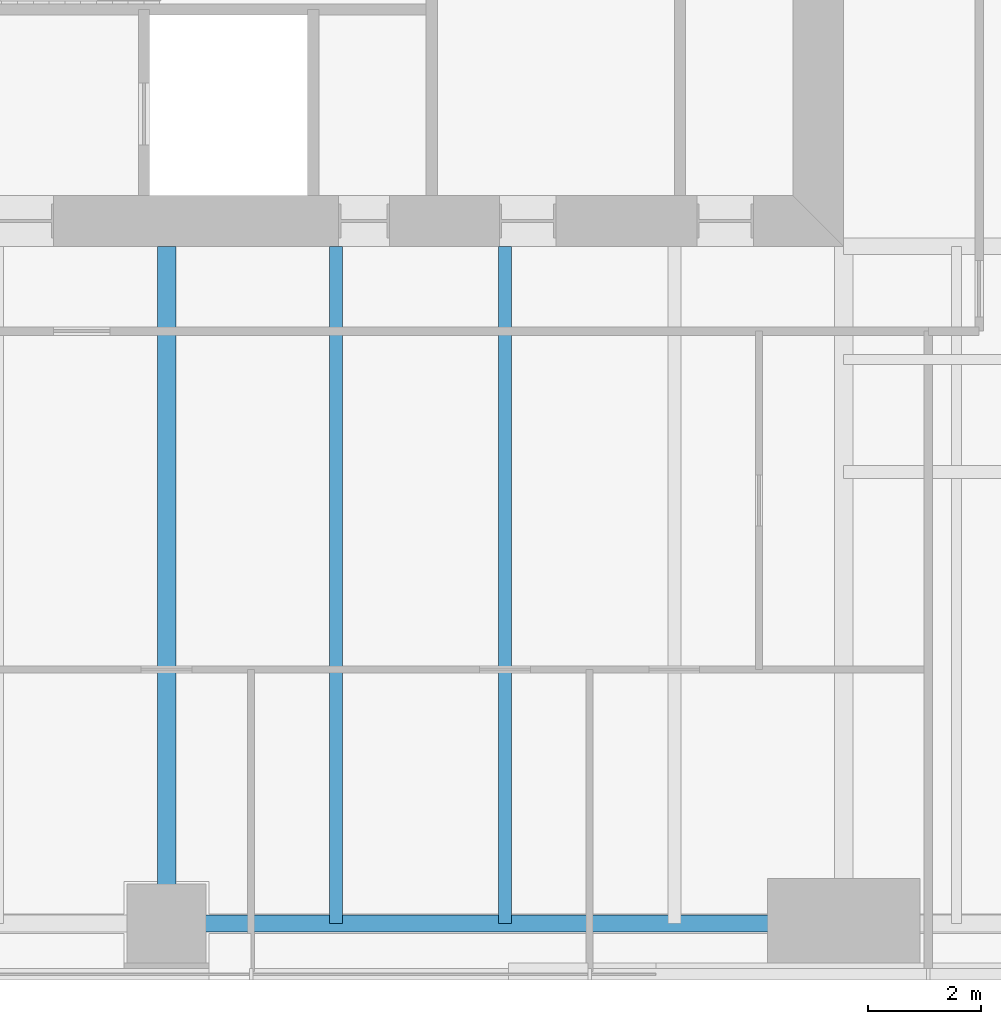
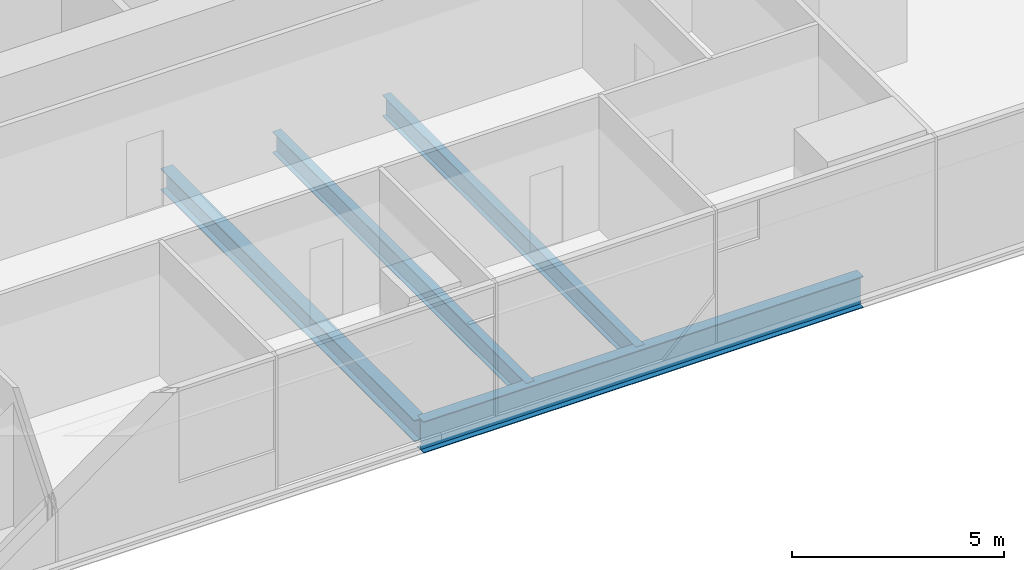
# One storey, part 3 of 16: 4 beams.
"""IFC4 building model written with IfcOpenShell, lengths in metres."""

from ifc_helpers import new_model, si_unit, direction, frame, origin, origin_2d, place, context, subcontext, project, spatial, i_section, extrude, material, material_profile, profile_set, type_object, element, save


model = new_model("IFC4")

# Units and contexts
model_context = context("Model", 3, precision=1e-05, world=origin(), true_north=direction((0.0, 1.0)))
body_context = subcontext(model_context, "Body", "Model", "MODEL_VIEW")
ifc_project = project(units=[si_unit("LENGTHUNIT", "METRE"), si_unit("AREAUNIT", "SQUARE_METRE"), si_unit("VOLUMEUNIT", "CUBIC_METRE"), si_unit("PLANEANGLEUNIT", "RADIAN"), si_unit("MASSUNIT", "GRAM", prefix="KILO")], contexts=[model_context])

# Site, building, storey
site_placement = place(None, origin())
site = spatial("IfcSite", under=ifc_project, at=site_placement, CompositionType="ELEMENT")
building_placement = place(site_placement, origin())
building = spatial("IfcBuilding", under=site, at=building_placement, Name="Fenwick Lantern Interchange", CompositionType="ELEMENT")
storey_placement = place(building_placement, frame((0.0, 0.0, 75.0)))
storey = spatial("IfcBuildingStorey", under=building, at=storey_placement, Name="L17", CompositionType="ELEMENT", Elevation=75.0)

# Beams
ifc_material = material(Name="Steel ASTM A992 Grade 50", Category="steel")
ifc_material_profile_1 = material_profile(ifc_material, i_section(OverallWidth=0.3046875, OverallDepth=0.911865234375, WebThickness=0.015869140625, FlangeThickness=0.02392578125, at=origin_2d()), Name="W36X150")
ifc_profile_set_1 = profile_set([ifc_material_profile_1], Name="Steel ASTM A992 Grade 50")
beam_type_1 = type_object("IfcBeamType", Name="EDGE BEAM W36X150", PredefinedType="SPANDREL", material=ifc_profile_set_1)
beam_1_placement = place(storey_placement, frame((25.0, 1.0, -0.60595703125), z_axis=(1.0, 0.0, 0.0), x_axis=(0.0, 1.0, 0.0)))
element("IfcBeam", 1, at=beam_1_placement, inside=storey, type_object=beam_type_1, Name="L17/FR/S/EB3", PredefinedType="SPANDREL", context=body_context, shape_type="SweptSolid", body=[
    extrude(i_section(OverallWidth=0.3046875, OverallDepth=0.911865234375, WebThickness=0.015869140625, FlangeThickness=0.02392578125, at=origin_2d()), origin(), (0.0, 0.0, 1.0), 12.0),
])
ifc_material_profile_2 = material_profile(ifc_material, i_section(OverallWidth=0.22900390625, OverallDepth=0.612060546875, WebThickness=0.011962890625, FlangeThickness=0.01953125, at=origin_2d()), Name="W24X84")
ifc_profile_set_2 = profile_set([ifc_material_profile_2], Name="Steel ASTM A992 Grade 50")
beam_type_2 = type_object("IfcBeamType", Name="FLOOR BEAM W24X84", PredefinedType="BEAM", material=ifc_profile_set_2)
for number, where, z_axis, x_axis, name in (
    (2, (28.0, 1.0, -0.4560546875), (0.0, 1.0, 0.0), (-1.0, 0.0, 0.0), "L17/FR/S/R06"),
    (3, (31.0, 1.0, -0.4560546875), (0.0, 1.0, 0.0), (-1.0, 0.0, 0.0), "L17/FR/S/R07"),
):
    element("IfcBeam", number, at=place(storey_placement, frame(where, z_axis=z_axis, x_axis=x_axis)), inside=storey, type_object=beam_type_2, Name=name, PredefinedType="BEAM", context=body_context, shape_type="SweptSolid", body=[
        extrude(i_section(OverallWidth=0.22900390625, OverallDepth=0.612060546875, WebThickness=0.011962890625, FlangeThickness=0.01953125, at=origin_2d()), origin(), (0.0, 0.0, 1.0), 12.0),
    ])
ifc_material_profile_3 = material_profile(ifc_material, i_section(OverallWidth=0.32763671875, OverallDepth=0.622314453125, WebThickness=0.015380859375, FlangeThickness=0.0244140625, at=origin_2d()), Name="W24X131")
ifc_profile_set_3 = profile_set([ifc_material_profile_3], Name="Steel ASTM A992 Grade 50")
beam_type_3 = type_object("IfcBeamType", Name="MOMENT-CONNECTED GIRDER W24X131", PredefinedType="BEAM", material=ifc_profile_set_3)
beam_2_placement = place(storey_placement, frame((25.0, 1.0, -0.461181640625), z_axis=(0.0, 1.0, 0.0), x_axis=(-1.0, 0.0, 0.0)))
element("IfcBeam", 4, at=beam_2_placement, inside=storey, type_object=beam_type_3, Name="L17/FR/S/R05", PredefinedType="BEAM", context=body_context, shape_type="SweptSolid", body=[
    extrude(i_section(OverallWidth=0.32763671875, OverallDepth=0.622314453125, WebThickness=0.015380859375, FlangeThickness=0.0244140625, at=origin_2d()), origin(), (0.0, 0.0, 1.0), 12.0),
])

save(model, "model.ifc")
